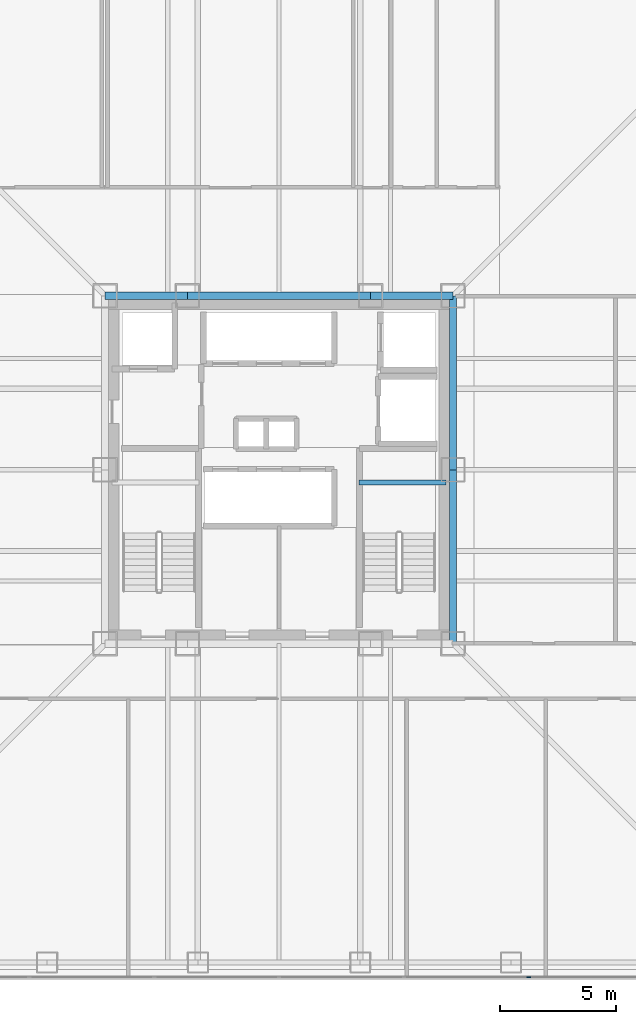
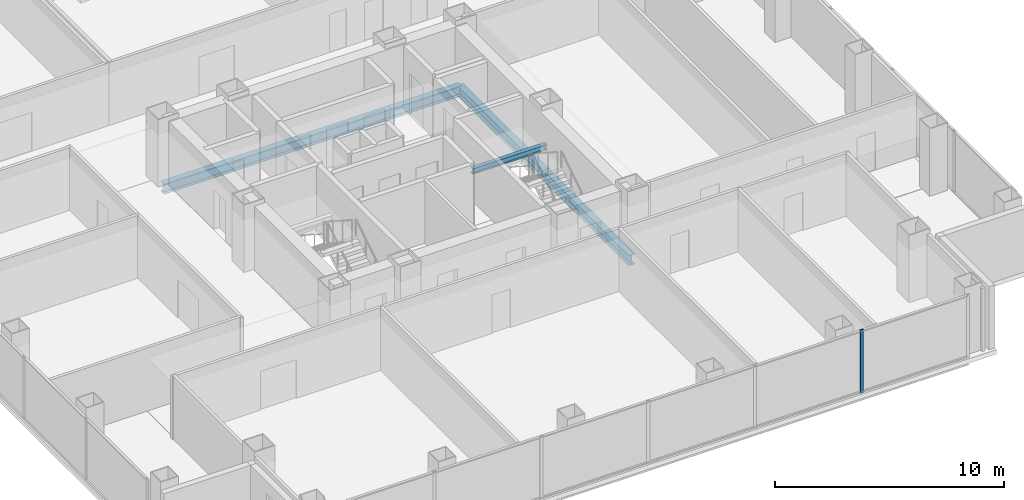
# One storey, part 5 of 14: 6 beams, 1 member, 1 element without a shape of its own.
"""IFC4 building model written with IfcOpenShell, lengths in metres."""

from ifc_helpers import new_model, si_unit, direction, frame, origin, origin_2d, place, context, subcontext, project, spatial, rectangle, i_section, extrude, material, layer, layer_set, material_profile, profile_set, type_object, element, aggregate, save


model = new_model("IFC4")

# Units and contexts
model_context = context("Model", 3, precision=1e-05, world=origin(), true_north=direction((0.0, 1.0)))
body_context = subcontext(model_context, "Body", "Model", "MODEL_VIEW")
ifc_project = project(units=[si_unit("LENGTHUNIT", "METRE"), si_unit("AREAUNIT", "SQUARE_METRE"), si_unit("VOLUMEUNIT", "CUBIC_METRE"), si_unit("PLANEANGLEUNIT", "RADIAN"), si_unit("MASSUNIT", "GRAM", prefix="KILO")], contexts=[model_context])

# Site, building, storey
site_placement = place(None, origin())
site = spatial("IfcSite", under=ifc_project, at=site_placement, CompositionType="ELEMENT")
building_placement = place(site_placement, origin())
building = spatial("IfcBuilding", under=site, at=building_placement, Name="Trevonay Congress Spire", CompositionType="ELEMENT")
storey_placement = place(building_placement, frame((0.0, 0.0, 119.199951171875)))
storey = spatial("IfcBuildingStorey", under=building, at=storey_placement, Name="L30", CompositionType="ELEMENT", Elevation=119.199951171875)

# Beams
ifc_material_1 = material(Name="Steel ASTM A572 Grade 50", Category="steel")
ifc_material_profile_1 = material_profile(ifc_material_1, i_section(OverallWidth=0.31201171875, OverallDepth=0.54296875, WebThickness=0.0126953125, FlangeThickness=0.020263671875, FilletRadius=0.014892578125, at=origin_2d()), Name="W530x150")
ifc_profile_set_1 = profile_set([ifc_material_profile_1], Name="Steel ASTM A572 Grade 50")
beam_type_1 = type_object("IfcBeamType", Name="BM-GIRD-W530X150", PredefinedType="BEAM", material=ifc_profile_set_1)
beam_1_placement = place(storey_placement, frame((-7.5, 7.5, -0.511474609375), z_axis=(1.0, 0.0, 0.0), x_axis=(0.0, 1.0, 0.0)))
element("IfcBeam", 1, at=beam_1_placement, inside=storey, type_object=beam_type_1, Name="L30 structural beam BM-L30-CR-N1", PredefinedType="BEAM", context=body_context, shape_type="SweptSolid", body=[
    extrude(i_section(OverallWidth=0.31201171875, OverallDepth=0.54296875, WebThickness=0.0126953125, FlangeThickness=0.020263671875, FilletRadius=0.014892578125, at=origin_2d()), origin(), (0.0, 0.0, 1.0), 3.550048828125),
])
beam_2_placement = place(storey_placement, frame((-3.949951171875, 7.5, -0.511474609375), z_axis=(1.0, 0.0, 0.0), x_axis=(0.0, 1.0, 0.0)))
element("IfcBeam", 2, at=beam_2_placement, inside=storey, type_object=beam_type_1, Name="L30 structural beam BM-L30-CR-N2", PredefinedType="BEAM", context=body_context, shape_type="SweptSolid", body=[
    extrude(i_section(OverallWidth=0.31201171875, OverallDepth=0.54296875, WebThickness=0.0126953125, FlangeThickness=0.020263671875, FilletRadius=0.014892578125, at=origin_2d()), origin(), (0.0, 0.0, 1.0), 7.89990234375),
])
beam_3_placement = place(storey_placement, frame((3.949951171875, 7.5, -0.511474609375), z_axis=(1.0, 0.0, 0.0), x_axis=(0.0, 1.0, 0.0)))
element("IfcBeam", 3, at=beam_3_placement, inside=storey, type_object=beam_type_1, Name="L30 structural beam BM-L30-CR-N3", PredefinedType="BEAM", context=body_context, shape_type="SweptSolid", body=[
    extrude(i_section(OverallWidth=0.31201171875, OverallDepth=0.54296875, WebThickness=0.0126953125, FlangeThickness=0.020263671875, FilletRadius=0.014892578125, at=origin_2d()), origin(), (0.0, 0.0, 1.0), 3.550048828125),
])
for number, where, z_axis, x_axis, name in (
    (4, (7.5, -7.5, -0.511474609375), (0.0, 1.0, 0.0), (-1.0, 0.0, 0.0), "L30 structural beam BM-L30-CR-E1"),
    (5, (7.5, 0.0, -0.511474609375), (0.0, 1.0, 0.0), (-1.0, 0.0, 0.0), "L30 structural beam BM-L30-CR-E2"),
):
    element("IfcBeam", number, at=place(storey_placement, frame(where, z_axis=z_axis, x_axis=x_axis)), inside=storey, type_object=beam_type_1, Name=name, PredefinedType="BEAM", context=body_context, shape_type="SweptSolid", body=[
        extrude(i_section(OverallWidth=0.31201171875, OverallDepth=0.54296875, WebThickness=0.0126953125, FlangeThickness=0.020263671875, FilletRadius=0.014892578125, at=origin_2d()), origin(), (0.0, 0.0, 1.0), 7.5),
    ])

# Curtain wall, member
ifc_material_2 = material(Name="Pale Anodised Aluminium EN AW-6063-T6", Category="aluminium")
ifc_layer = layer(ifc_material_2, 0.175048828125, Name="Pale Anodised Aluminium EN AW-6063-T6")
ifc_layer_set = layer_set([ifc_layer], Name="Pale Anodised Aluminium EN AW-6063-T6")
curtain_wall_type = type_object("IfcCurtainWallType", Name="CW-SYS03-CONGRESS-PALE-METAL", PredefinedType="NOTDEFINED", material=ifc_layer_set)
curtain_wall_placement = place(storey_placement, origin())
curtain_wall = element("IfcCurtainWall", 6, at=curtain_wall_placement, inside=storey, type_object=curtain_wall_type, Name="L30 S unitised curtain wall", PredefinedType="NOTDEFINED")
ifc_material_profile_2 = material_profile(ifc_material_2, rectangle(XDim=0.06005859375, YDim=0.159912109375, at=origin_2d()), Name="CW-MULLION-160-ALUMINIUM")
ifc_profile_set_2 = profile_set([ifc_material_profile_2], Name="Pale Anodised Aluminium EN AW-6063-T6")
member_type = type_object("IfcMemberType", Name="CW-MULLION-160-ALUMINIUM", PredefinedType="MULLION", material=ifc_profile_set_2)
member_placement = place(storey_placement, frame((10.7666015625, -21.8798828125, 0.0), z_axis=(0.0, 0.0, 1.0), x_axis=(0.0, 1.0, 0.0)))
member = element("IfcMember", 7, at=member_placement, type_object=member_type, Name="CW03 mullion 6", PredefinedType="MULLION", context=body_context, shape_type="SweptSolid", body=[
    extrude(rectangle(XDim=0.06005859375, YDim=0.159912109375, at=origin_2d()), origin(), (0.0, 0.0, 1.0), 3.360107421875),
])
aggregate(curtain_wall, [member])

# Beam
ifc_material_profile_3 = material_profile(ifc_material_1, i_section(OverallWidth=0.2041015625, OverallDepth=0.305908203125, WebThickness=0.008544921875, FlangeThickness=0.0146484375, FilletRadius=0.010986328125, at=origin_2d()), Name="W310x67")
ifc_profile_set_3 = profile_set([ifc_material_profile_3], Name="Steel ASTM A572 Grade 50")
beam_type_2 = type_object("IfcBeamType", Name="LN-CORE-W310X67", PredefinedType="LINTEL", material=ifc_profile_set_3)
beam_4_placement = place(storey_placement, frame((3.449951171875, -0.550048828125, 1.447021484375), z_axis=(1.0, 0.0, 0.0), x_axis=(0.0, 1.0, 0.0)))
element("IfcBeam", 8, at=beam_4_placement, inside=storey, type_object=beam_type_2, Name="L30 structural beam BM-L30-HL-ST2", PredefinedType="LINTEL", context=body_context, shape_type="SweptSolid", body=[
    extrude(i_section(OverallWidth=0.2041015625, OverallDepth=0.305908203125, WebThickness=0.008544921875, FlangeThickness=0.0146484375, FilletRadius=0.010986328125, at=origin_2d()), origin(), (0.0, 0.0, 1.0), 3.75),
])

save(model, "model.ifc")
